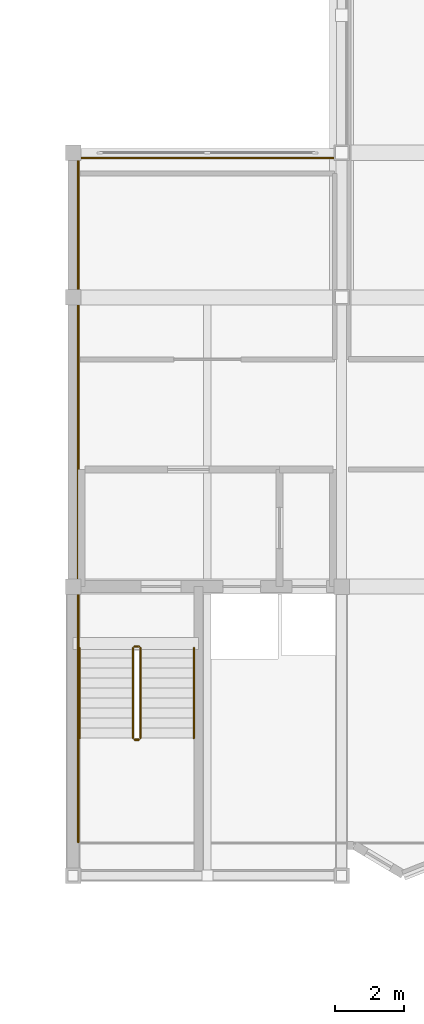
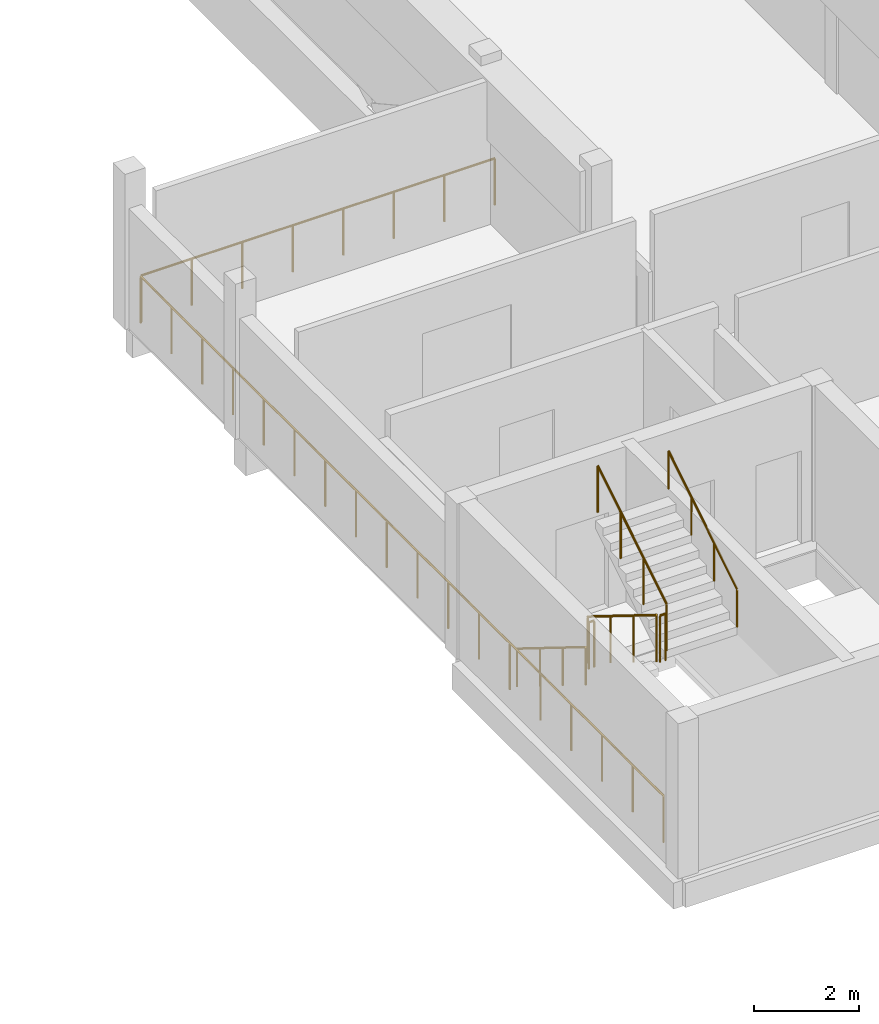
# One storey, part 31 of 34: 8 railings.
"""IFC4 building model written with IfcOpenShell, lengths in metres."""

from ifc_helpers import new_model, si_unit, direction, frame, origin, origin_2d, place, context, subcontext, project, spatial, circle, extrude, material, type_object, element, save


model = new_model("IFC4")

# Units and contexts
model_context = context("Model", 3, precision=1e-05, world=origin(), true_north=direction((0.0, 1.0)))
body_context = subcontext(model_context, "Body", "Model", "MODEL_VIEW")
ifc_project = project(units=[si_unit("LENGTHUNIT", "METRE"), si_unit("AREAUNIT", "SQUARE_METRE"), si_unit("VOLUMEUNIT", "CUBIC_METRE"), si_unit("PLANEANGLEUNIT", "RADIAN"), si_unit("MASSUNIT", "GRAM", prefix="KILO")], contexts=[model_context])

# Site, building, storey
site_placement = place(None, origin())
site = spatial("IfcSite", under=ifc_project, at=site_placement, CompositionType="ELEMENT")
building_placement = place(site_placement, origin())
building = spatial("IfcBuilding", under=site, at=building_placement, Name="Vharandega Faculty of Natural Sciences", CompositionType="ELEMENT")
storey_placement = place(building_placement, frame((0.0, 0.0, 21.60009765625)))
storey = spatial("IfcBuildingStorey", under=building, at=storey_placement, Name="L05", CompositionType="ELEMENT", Elevation=21.60009765625)

# Railings
ifc_material_1 = material(Name="Brushed stainless steel handrail", Category="steel")
railing_type_1 = type_object("IfcRailingType", Name="Stair Tubular Handrail 900", PredefinedType="HANDRAIL", material=ifc_material_1)
railing_1_placement = place(storey_placement, frame((114.989990234375, 70.610107421875, 0.179931640625)))
element("IfcRailing", 1, at=railing_1_placement, inside=storey, type_object=railing_type_1, Name="L05 ST1 stair handrail 1", PredefinedType="HANDRAIL", context=body_context, shape_type="SweptSolid", body=[
    extrude(circle(Radius=0.02392578125, at=origin_2d()), frame((0.0, 0.0, 0.8759765625), z_axis=(0.0, -0.849668407637, 0.527317358963), x_axis=(1.0, 0.0, 0.0)), (0.0, 0.0, 1.0), 3.072021484375),
    extrude(circle(Radius=0.02099609375, at=origin_2d()), origin(), (0.0, 0.0, 1.0), 0.851806640625),
    extrude(circle(Radius=0.02099609375, at=origin_2d()), frame((0.0, -0.8701171875, 0.5400390625)), (0.0, 0.0, 1.0), 0.851806640625),
    extrude(circle(Radius=0.02099609375, at=origin_2d()), frame((0.0, -1.739990234375, 1.079833984375)), (0.0, 0.0, 1.0), 0.851806640625),
    extrude(circle(Radius=0.02099609375, at=origin_2d()), frame((0.0, -2.610107421875, 1.619873046875)), (0.0, 0.0, 1.0), 0.851806640625),
])
railing_2_placement = place(storey_placement, frame((118.31005859375, 68.0, 1.97998046875)))
element("IfcRailing", 2, at=railing_2_placement, inside=storey, type_object=railing_type_1, Name="L05 ST1 stair handrail 2", PredefinedType="HANDRAIL", context=body_context, shape_type="SweptSolid", body=[
    extrude(circle(Radius=0.02392578125, at=origin_2d()), frame((0.0, 0.0, 0.8759765625), z_axis=(0.0, 0.849668407637, 0.527317358963), x_axis=(-1.0, 0.0, 0.0)), (0.0, 0.0, 1.0), 3.072021484375),
    extrude(circle(Radius=0.02099609375, at=origin_2d()), origin(), (0.0, 0.0, 1.0), 0.851806640625),
    extrude(circle(Radius=0.02099609375, at=origin_2d()), frame((0.0, 0.8701171875, 0.5400390625)), (0.0, 0.0, 1.0), 0.851806640625),
    extrude(circle(Radius=0.02099609375, at=origin_2d()), frame((0.0, 1.739990234375, 1.079833984375)), (0.0, 0.0, 1.0), 0.851806640625),
    extrude(circle(Radius=0.02099609375, at=origin_2d()), frame((0.0, 2.610107421875, 1.619873046875)), (0.0, 0.0, 1.0), 0.851806640625),
])
ifc_material_2 = material(Name="Painted steel stair guardrail", Category="steel")
railing_type_2 = type_object("IfcRailingType", Name="Stairwell Steel Guardrail 1100", PredefinedType="GUARDRAIL", material=ifc_material_2)
railing_3_placement = place(storey_placement, frame((116.5400390625, 70.610107421875, 0.179931640625)))
element("IfcRailing", 3, at=railing_3_placement, inside=storey, type_object=railing_type_2, Name="L05 ST1 stair guard 1", PredefinedType="GUARDRAIL", context=body_context, shape_type="SweptSolid", body=[
    extrude(circle(Radius=0.02392578125, at=origin_2d()), frame((0.0, 0.0, 1.076171875), z_axis=(0.0, -0.849668407637, 0.527317358963), x_axis=(1.0, 0.0, 0.0)), (0.0, 0.0, 1.0), 3.072021484375),
    extrude(circle(Radius=0.02099609375, at=origin_2d()), origin(), (0.0, 0.0, 1.0), 1.052001953125),
    extrude(circle(Radius=0.02099609375, at=origin_2d()), frame((0.0, -0.8701171875, 0.5400390625)), (0.0, 0.0, 1.0), 1.052001953125),
    extrude(circle(Radius=0.02099609375, at=origin_2d()), frame((0.0, -1.739990234375, 1.079833984375)), (0.0, 0.0, 1.0), 1.052001953125),
    extrude(circle(Radius=0.02099609375, at=origin_2d()), frame((0.0, -2.610107421875, 1.619873046875)), (0.0, 0.0, 1.0), 1.052001953125),
])
railing_4_placement = place(storey_placement, frame((116.590087890625, 67.949951171875, 1.7998046875)))
element("IfcRailing", 4, at=railing_4_placement, inside=storey, type_object=railing_type_2, Name="L05 ST1 stair guard 2", PredefinedType="GUARDRAIL", context=body_context, shape_type="SweptSolid", body=[
    extrude(circle(Radius=0.02392578125, at=origin_2d()), frame((0.0, 0.0, 1.076171875), z_axis=(1.0, 0.0, 0.0), x_axis=(0.0, 1.0, 0.0)), (0.0, 0.0, 1.0), 0.119873046875),
    extrude(circle(Radius=0.02099609375, at=origin_2d()), origin(), (0.0, 0.0, 1.0), 1.052001953125),
    extrude(circle(Radius=0.02099609375, at=origin_2d()), frame((0.119873046875, 0.0, 0.0)), (0.0, 0.0, 1.0), 1.052001953125),
])
railing_5_placement = place(storey_placement, frame((116.760009765625, 68.0, 1.97998046875)))
element("IfcRailing", 5, at=railing_5_placement, inside=storey, type_object=railing_type_2, Name="L05 ST1 stair guard 3", PredefinedType="GUARDRAIL", context=body_context, shape_type="SweptSolid", body=[
    extrude(circle(Radius=0.02392578125, at=origin_2d()), frame((0.0, 0.0, 1.076171875), z_axis=(0.0, 0.849668407637, 0.527317358963), x_axis=(-1.0, 0.0, 0.0)), (0.0, 0.0, 1.0), 3.072021484375),
    extrude(circle(Radius=0.02099609375, at=origin_2d()), origin(), (0.0, 0.0, 1.0), 1.052001953125),
    extrude(circle(Radius=0.02099609375, at=origin_2d()), frame((0.0, 0.8701171875, 0.5400390625)), (0.0, 0.0, 1.0), 1.052001953125),
    extrude(circle(Radius=0.02099609375, at=origin_2d()), frame((0.0, 1.739990234375, 1.079833984375)), (0.0, 0.0, 1.0), 1.052001953125),
    extrude(circle(Radius=0.02099609375, at=origin_2d()), frame((0.0, 2.610107421875, 1.619873046875)), (0.0, 0.0, 1.0), 1.052001953125),
])
railing_6_placement = place(storey_placement, frame((116.590087890625, 70.659912109375, 0.0)))
element("IfcRailing", 6, at=railing_6_placement, inside=storey, type_object=railing_type_2, Name="L05 ST1 stair guard 4", PredefinedType="GUARDRAIL", context=body_context, shape_type="SweptSolid", body=[
    extrude(circle(Radius=0.02392578125, at=origin_2d()), frame((0.0, 0.0, 1.076171875), z_axis=(1.0, 0.0, 0.0), x_axis=(0.0, 1.0, 0.0)), (0.0, 0.0, 1.0), 0.119873046875),
    extrude(circle(Radius=0.02099609375, at=origin_2d()), origin(), (0.0, 0.0, 1.0), 1.052001953125),
    extrude(circle(Radius=0.02099609375, at=origin_2d()), frame((0.119873046875, 0.0, 0.0)), (0.0, 0.0, 1.0), 1.052001953125),
])
ifc_material_3 = material(Name="Galvanised painted steel balustrade", Category="steel")
railing_type_3 = type_object("IfcRailingType", Name="Terrace Steel Guardrail 1100", PredefinedType="GUARDRAIL", material=ifc_material_3)
railing_7_placement = place(storey_placement, frame((122.72509765625, 84.85009765625, 0.0)))
element("IfcRailing", 7, at=railing_7_placement, inside=storey, type_object=railing_type_3, Name="Perimeter Sill Guard L05 #5", PredefinedType="GUARDRAIL", context=body_context, shape_type="SweptSolid", body=[
    extrude(circle(Radius=0.02392578125, at=origin_2d()), frame((0.0, 0.0, 1.076171875), z_axis=(-1.0, 0.0, 0.0), x_axis=(0.0, -1.0, 0.0)), (0.0, 0.0, 1.0), 7.75),
    extrude(circle(Radius=0.02099609375, at=origin_2d()), origin(), (0.0, 0.0, 1.0), 1.052001953125),
    extrude(circle(Radius=0.02099609375, at=origin_2d()), frame((-1.107177734375, 0.0, 0.0)), (0.0, 0.0, 1.0), 1.052001953125),
    extrude(circle(Radius=0.02099609375, at=origin_2d()), frame((-2.21435546875, 0.0, 0.0)), (0.0, 0.0, 1.0), 1.052001953125),
    extrude(circle(Radius=0.02099609375, at=origin_2d()), frame((-3.321533203125, 0.0, 0.0)), (0.0, 0.0, 1.0), 1.052001953125),
    extrude(circle(Radius=0.02099609375, at=origin_2d()), frame((-4.428466796875, 0.0, 0.0)), (0.0, 0.0, 1.0), 1.052001953125),
    extrude(circle(Radius=0.02099609375, at=origin_2d()), frame((-5.53564453125, 0.0, 0.0)), (0.0, 0.0, 1.0), 1.052001953125),
    extrude(circle(Radius=0.02099609375, at=origin_2d()), frame((-6.642822265625, 0.0, 0.0)), (0.0, 0.0, 1.0), 1.052001953125),
    extrude(circle(Radius=0.02099609375, at=origin_2d()), frame((-7.75, 0.0, 0.0)), (0.0, 0.0, 1.0), 1.052001953125),
])
railing_8_placement = place(storey_placement, frame((114.949951171875, 84.824951171875, 0.0)))
element("IfcRailing", 8, at=railing_8_placement, inside=storey, type_object=railing_type_3, Name="Perimeter Sill Guard L05 #6", PredefinedType="GUARDRAIL", context=body_context, shape_type="SweptSolid", body=[
    extrude(circle(Radius=0.02392578125, at=origin_2d()), frame((0.0, 0.0, 1.076171875), z_axis=(0.0, -1.0, 0.0), x_axis=(1.0, 0.0, 0.0)), (0.0, 0.0, 1.0), 19.849853515625),
    extrude(circle(Radius=0.02099609375, at=origin_2d()), origin(), (0.0, 0.0, 1.0), 1.052001953125),
    extrude(circle(Radius=0.02099609375, at=origin_2d()), frame((0.0, -1.167724609375, 0.0)), (0.0, 0.0, 1.0), 1.052001953125),
    extrude(circle(Radius=0.02099609375, at=origin_2d()), frame((0.0, -2.335205078125, 0.0)), (0.0, 0.0, 1.0), 1.052001953125),
    extrude(circle(Radius=0.02099609375, at=origin_2d()), frame((0.0, -3.5029296875, 0.0)), (0.0, 0.0, 1.0), 1.052001953125),
    extrude(circle(Radius=0.02099609375, at=origin_2d()), frame((0.0, -4.670654296875, 0.0)), (0.0, 0.0, 1.0), 1.052001953125),
    extrude(circle(Radius=0.02099609375, at=origin_2d()), frame((0.0, -5.838134765625, 0.0)), (0.0, 0.0, 1.0), 1.052001953125),
    extrude(circle(Radius=0.02099609375, at=origin_2d()), frame((0.0, -7.005859375, 0.0)), (0.0, 0.0, 1.0), 1.052001953125),
    extrude(circle(Radius=0.02099609375, at=origin_2d()), frame((0.0, -8.173583984375, 0.0)), (0.0, 0.0, 1.0), 1.052001953125),
    extrude(circle(Radius=0.02099609375, at=origin_2d()), frame((0.0, -9.341064453125, 0.0)), (0.0, 0.0, 1.0), 1.052001953125),
    extrude(circle(Radius=0.02099609375, at=origin_2d()), frame((0.0, -10.5087890625, 0.0)), (0.0, 0.0, 1.0), 1.052001953125),
    extrude(circle(Radius=0.02099609375, at=origin_2d()), frame((0.0, -11.67626953125, 0.0)), (0.0, 0.0, 1.0), 1.052001953125),
    extrude(circle(Radius=0.02099609375, at=origin_2d()), frame((0.0, -12.843994140625, 0.0)), (0.0, 0.0, 1.0), 1.052001953125),
    extrude(circle(Radius=0.02099609375, at=origin_2d()), frame((0.0, -14.01171875, 0.0)), (0.0, 0.0, 1.0), 1.052001953125),
    extrude(circle(Radius=0.02099609375, at=origin_2d()), frame((0.0, -15.17919921875, 0.0)), (0.0, 0.0, 1.0), 1.052001953125),
    extrude(circle(Radius=0.02099609375, at=origin_2d()), frame((0.0, -16.346923828125, 0.0)), (0.0, 0.0, 1.0), 1.052001953125),
    extrude(circle(Radius=0.02099609375, at=origin_2d()), frame((0.0, -17.5146484375, 0.0)), (0.0, 0.0, 1.0), 1.052001953125),
    extrude(circle(Radius=0.02099609375, at=origin_2d()), frame((0.0, -18.68212890625, 0.0)), (0.0, 0.0, 1.0), 1.052001953125),
    extrude(circle(Radius=0.02099609375, at=origin_2d()), frame((0.0, -19.849853515625, 0.0)), (0.0, 0.0, 1.0), 1.052001953125),
])

save(model, "model.ifc")
